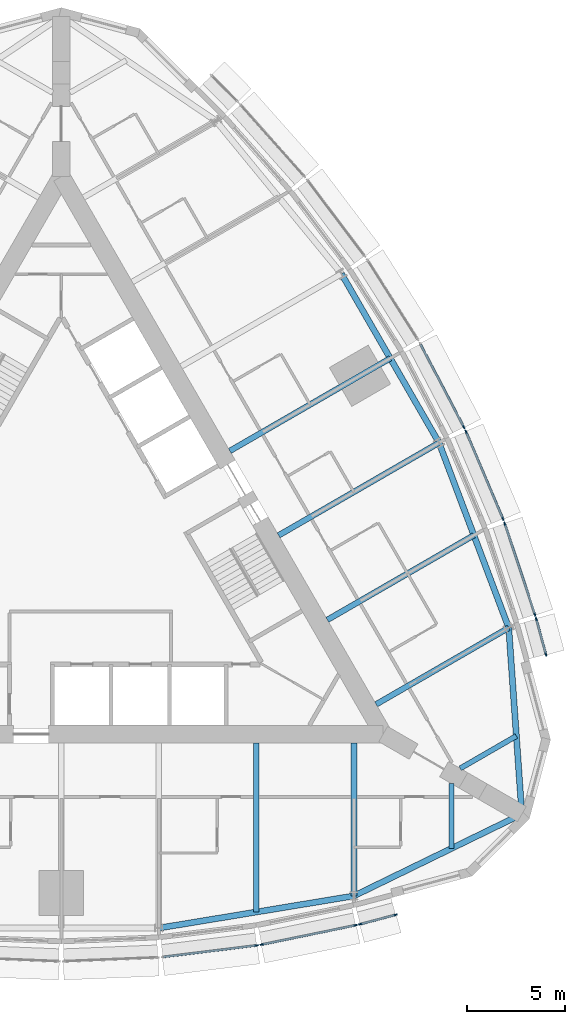
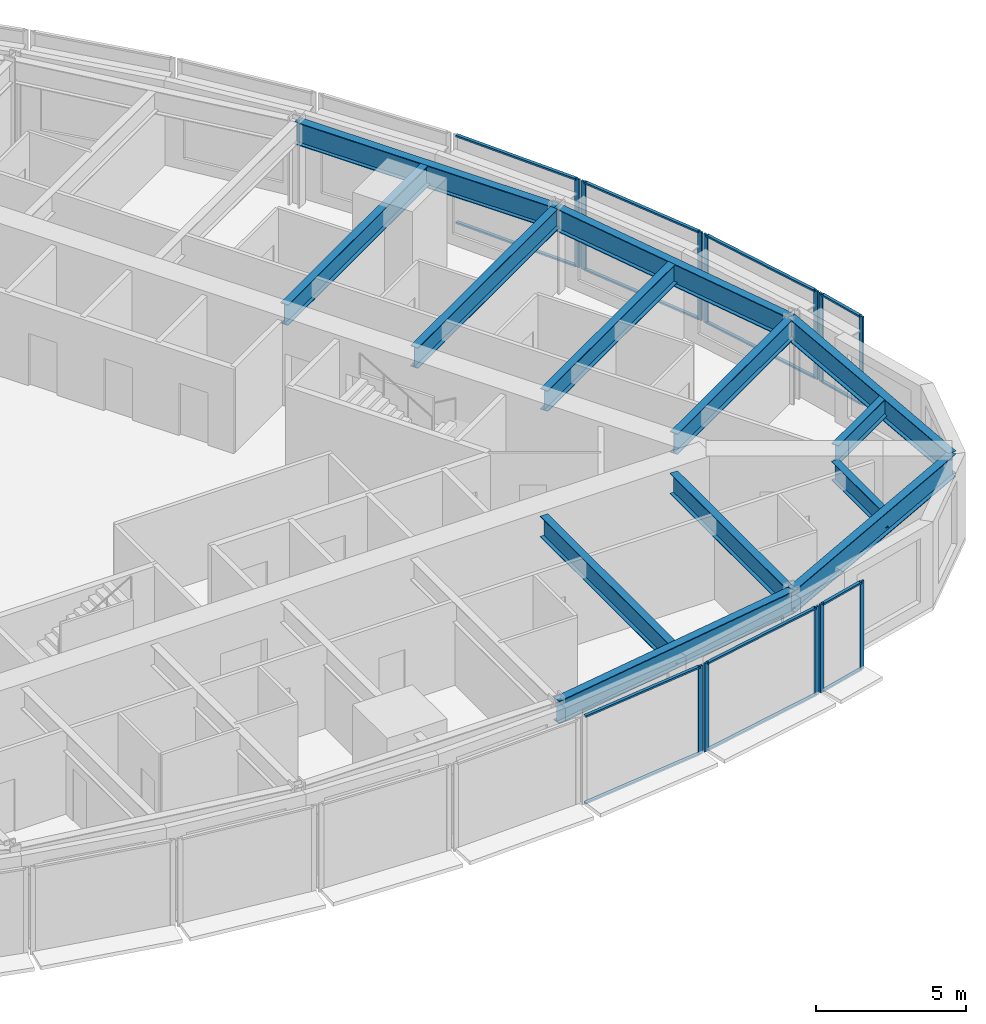
# One storey, part 4 of 15: 26 members, 13 beams, 7 elements without a shape of their own.
"""IFC4 building model written with IfcOpenShell, lengths in metres."""

from ifc_helpers import new_model, si_unit, direction, frame, origin, origin_2d, place, context, subcontext, project, spatial, rectangle, i_section, extrude, material, material_profile, profile_set, type_object, element, aggregate, save


model = new_model("IFC4")

# Units and contexts
model_context = context("Model", 3, precision=1e-05, world=origin(), true_north=direction((0.0, 1.0)))
body_context = subcontext(model_context, "Body", "Model", "MODEL_VIEW")
ifc_project = project(units=[si_unit("LENGTHUNIT", "METRE"), si_unit("AREAUNIT", "SQUARE_METRE"), si_unit("VOLUMEUNIT", "CUBIC_METRE"), si_unit("PLANEANGLEUNIT", "RADIAN"), si_unit("MASSUNIT", "GRAM", prefix="KILO")], contexts=[model_context])

# Site, building, storey
site_placement = place(None, origin())
site = spatial("IfcSite", under=ifc_project, at=site_placement, CompositionType="ELEMENT")
building_placement = place(site_placement, origin())
building = spatial("IfcBuilding", under=site, at=building_placement, Name="Trikona Tower", CompositionType="ELEMENT")
storey_placement = place(building_placement, frame((0.0, 0.0, 200.89990234375)))
storey = spatial("IfcBuildingStorey", under=building, at=storey_placement, Name="L53", CompositionType="ELEMENT", Elevation=200.89990234375)

# Curtain wall, member
ifc_material_1 = material(Name="Aluminium curtain wall system", Category="aluminium")
curtain_wall_type = type_object("IfcCurtainWallType", Name="Curtain wall DS3", PredefinedType="NOTDEFINED", material=ifc_material_1)
curtain_wall_1_placement = place(storey_placement, origin())
curtain_wall_1 = element("IfcCurtainWall", 1, at=curtain_wall_1_placement, inside=storey, type_object=curtain_wall_type, Name="Curtain wall DS3 L53", PredefinedType="NOTDEFINED")
ifc_material_2 = material(Name="Aluminium mullion, pale anodised", Category="aluminium")
ifc_material_profile_1 = material_profile(ifc_material_2, rectangle(XDim=0.070068359375, YDim=0.179931640625, at=origin_2d()), Name="MUL-DS3")
ifc_profile_set_1 = profile_set([ifc_material_profile_1], Name="Aluminium mullion, pale anodised")
member_type_1 = type_object("IfcMemberType", Name="Mullion DS3 70x180", PredefinedType="MULLION", material=ifc_profile_set_1)
member_1_placement = place(storey_placement, frame((10.01611328125, -20.359130859375, 0.0), z_axis=(0.0, 0.0, 1.0), x_axis=(-0.122610640458, 0.992454850785, 0.0)))
member_1 = element("IfcMember", 2, at=member_1_placement, type_object=member_type_1, Name="CW-DS3 mullion 2", PredefinedType="MULLION", context=body_context, shape_type="SweptSolid", body=[
    extrude(rectangle(XDim=0.070068359375, YDim=0.179931640625, at=origin_2d()), origin(), (0.0, 0.0, 1.0), 3.60009765625),
])

# Curtain wall, members
curtain_wall_2_placement = place(storey_placement, origin())
curtain_wall_2 = element("IfcCurtainWall", 3, at=curtain_wall_2_placement, inside=storey, type_object=curtain_wall_type, Name="Curtain wall DS3 L53", PredefinedType="NOTDEFINED")
member_2_placement = place(storey_placement, frame((10.274658203125, -20.316650390625, 0.0), z_axis=(0.0, 0.0, 1.0), x_axis=(-0.201652920672, 0.979457043256, 0.0)))
member_2 = element("IfcMember", 4, at=member_2_placement, type_object=member_type_1, Name="CW-DS3 mullion 1", PredefinedType="MULLION", context=body_context, shape_type="SweptSolid", body=[
    extrude(rectangle(XDim=0.070068359375, YDim=0.179931640625, at=origin_2d()), origin(), (0.0, 0.0, 1.0), 3.60009765625),
])
member_3_placement = place(storey_placement, frame((15.08837890625, -19.325439453125, 0.0), z_axis=(0.0, 0.0, 1.0), x_axis=(-0.201652920672, 0.979457043256, 0.0)))
member_3 = element("IfcMember", 5, at=member_3_placement, type_object=member_type_1, Name="CW-DS3 mullion 2", PredefinedType="MULLION", context=body_context, shape_type="SweptSolid", body=[
    extrude(rectangle(XDim=0.070068359375, YDim=0.179931640625, at=origin_2d()), origin(), (0.0, 0.0, 1.0), 3.60009765625),
])

curtain_wall_3_placement = place(storey_placement, origin())
curtain_wall_3 = element("IfcCurtainWall", 6, at=curtain_wall_3_placement, inside=storey, type_object=curtain_wall_type, Name="Curtain wall DS3 L53", PredefinedType="NOTDEFINED")
member_4_placement = place(storey_placement, frame((15.321044921875, -19.27099609375, 0.0), z_axis=(0.0, 0.0, 1.0), x_axis=(-0.25478635579, 0.966997369647, 0.0)))
member_4 = element("IfcMember", 7, at=member_4_placement, type_object=member_type_1, Name="CW-DS3 mullion 1", PredefinedType="MULLION", context=body_context, shape_type="SweptSolid", body=[
    extrude(rectangle(XDim=0.070068359375, YDim=0.179931640625, at=origin_2d()), origin(), (0.0, 0.0, 1.0), 3.60009765625),
])
member_5_placement = place(storey_placement, frame((17.137451171875, -18.79248046875, 0.0), z_axis=(0.0, 0.0, 1.0), x_axis=(-0.25478635579, 0.966997369647, 0.0)))
member_5 = element("IfcMember", 8, at=member_5_placement, type_object=member_type_1, Name="CW-DS3 mullion 2", PredefinedType="MULLION", context=body_context, shape_type="SweptSolid", body=[
    extrude(rectangle(XDim=0.070068359375, YDim=0.179931640625, at=origin_2d()), origin(), (0.0, 0.0, 1.0), 3.60009765625),
])

curtain_wall_4_placement = place(storey_placement, origin())
curtain_wall_4 = element("IfcCurtainWall", 9, at=curtain_wall_4_placement, inside=storey, type_object=curtain_wall_type, Name="Curtain wall DS3 L53", PredefinedType="NOTDEFINED")
member_6_placement = place(storey_placement, frame((24.843505859375, -5.4453125, 0.0), z_axis=(0.0, 0.0, 1.0), x_axis=(-0.964838403494, -0.262843784676, 0.0)))
member_6 = element("IfcMember", 10, at=member_6_placement, type_object=member_type_1, Name="CW-DS3 mullion 1", PredefinedType="MULLION", context=body_context, shape_type="SweptSolid", body=[
    extrude(rectangle(XDim=0.070068359375, YDim=0.179931640625, at=origin_2d()), origin(), (0.0, 0.0, 1.0), 3.60009765625),
])
member_7_placement = place(storey_placement, frame((24.349609375, -3.633056640625, 0.0), z_axis=(0.0, 0.0, 1.0), x_axis=(-0.964838403494, -0.262843784676, 0.0)))
member_7 = element("IfcMember", 11, at=member_7_placement, type_object=member_type_1, Name="CW-DS3 mullion 2", PredefinedType="MULLION", context=body_context, shape_type="SweptSolid", body=[
    extrude(rectangle(XDim=0.070068359375, YDim=0.179931640625, at=origin_2d()), origin(), (0.0, 0.0, 1.0), 3.60009765625),
])

curtain_wall_5_placement = place(storey_placement, origin())
curtain_wall_5 = element("IfcCurtainWall", 12, at=curtain_wall_5_placement, inside=storey, type_object=curtain_wall_type, Name="Curtain wall DS3 L53", PredefinedType="NOTDEFINED")
member_8_placement = place(storey_placement, frame((24.280517578125, -3.404296875, 0.0), z_axis=(0.0, 0.0, 1.0), x_axis=(-0.949065766708, -0.315078038687, 0.0)))
member_8 = element("IfcMember", 13, at=member_8_placement, type_object=member_type_1, Name="CW-DS3 mullion 1", PredefinedType="MULLION", context=body_context, shape_type="SweptSolid", body=[
    extrude(rectangle(XDim=0.070068359375, YDim=0.179931640625, at=origin_2d()), origin(), (0.0, 0.0, 1.0), 3.60009765625),
])
member_9_placement = place(storey_placement, frame((22.73193359375, 1.26025390625, 0.0), z_axis=(0.0, 0.0, 1.0), x_axis=(-0.949065766708, -0.315078038687, 0.0)))
member_9 = element("IfcMember", 14, at=member_9_placement, type_object=member_type_1, Name="CW-DS3 mullion 2", PredefinedType="MULLION", context=body_context, shape_type="SweptSolid", body=[
    extrude(rectangle(XDim=0.070068359375, YDim=0.179931640625, at=origin_2d()), origin(), (0.0, 0.0, 1.0), 3.60009765625),
])

curtain_wall_6_placement = place(storey_placement, origin())
curtain_wall_6 = element("IfcCurtainWall", 15, at=curtain_wall_6_placement, inside=storey, type_object=curtain_wall_type, Name="Curtain wall DS3 L53", PredefinedType="NOTDEFINED")
member_10_placement = place(storey_placement, frame((22.6396484375, 1.50537109375, 0.0), z_axis=(0.0, 0.0, 1.0), x_axis=(-0.920792322808, -0.390053199266, 0.0)))
member_10 = element("IfcMember", 16, at=member_10_placement, type_object=member_type_1, Name="CW-DS3 mullion 1", PredefinedType="MULLION", context=body_context, shape_type="SweptSolid", body=[
    extrude(rectangle(XDim=0.070068359375, YDim=0.179931640625, at=origin_2d()), origin(), (0.0, 0.0, 1.0), 3.60009765625),
])
member_11_placement = place(storey_placement, frame((20.74853515625, 5.969482421875, 0.0), z_axis=(0.0, 0.0, 1.0), x_axis=(-0.920792322808, -0.390053199266, 0.0)))
member_11 = element("IfcMember", 17, at=member_11_placement, type_object=member_type_1, Name="CW-DS3 mullion 2", PredefinedType="MULLION", context=body_context, shape_type="SweptSolid", body=[
    extrude(rectangle(XDim=0.070068359375, YDim=0.179931640625, at=origin_2d()), origin(), (0.0, 0.0, 1.0), 3.60009765625),
])

# Curtain wall, member
curtain_wall_7_placement = place(storey_placement, origin())
curtain_wall_7 = element("IfcCurtainWall", 18, at=curtain_wall_7_placement, inside=storey, type_object=curtain_wall_type, Name="Curtain wall DS3 L53", PredefinedType="NOTDEFINED")
member_12_placement = place(storey_placement, frame((20.635986328125, 6.20751953125, 0.0), z_axis=(0.0, 0.0, 1.0), x_axis=(-0.885862390527, -0.463948084434, 0.0)))
member_12 = element("IfcMember", 19, at=member_12_placement, type_object=member_type_1, Name="CW-DS3 mullion 1", PredefinedType="MULLION", context=body_context, shape_type="SweptSolid", body=[
    extrude(rectangle(XDim=0.070068359375, YDim=0.179931640625, at=origin_2d()), origin(), (0.0, 0.0, 1.0), 3.60009765625),
])

# Beams
ifc_material_3 = material(Name="Steel ASTM A992 Grade 50", Category="steel")
ifc_material_profile_2 = material_profile(ifc_material_3, i_section(OverallWidth=0.2666015625, OverallDepth=0.76953125, WebThickness=0.015625, FlangeThickness=0.025390625, at=origin_2d()), Name="W30X132")
ifc_profile_set_2 = profile_set([ifc_material_profile_2], Name="Steel ASTM A992 Grade 50")
beam_type_1 = type_object("IfcBeamType", Name="Steel beam W30x132 (wedge)", PredefinedType="BEAM", material=ifc_profile_set_2)
beam_1_placement = place(storey_placement, frame((20.0, -12.066650390625, 3.05029296875), z_axis=(0.0, -1.0, 0.0), x_axis=(1.0, 0.0, 0.0)))
element("IfcBeam", 20, at=beam_1_placement, inside=storey, type_object=beam_type_1, Name="Floor beam L54 F1 u20", PredefinedType="BEAM", context=body_context, shape_type="SweptSolid", body=[
    extrude(i_section(OverallWidth=0.2666015625, OverallDepth=0.76953125, WebThickness=0.015625, FlangeThickness=0.025390625, at=origin_2d()), origin(), (0.0, 0.0, 1.0), 3.322998046875),
])
beam_2_placement = place(storey_placement, frame((20.449951171875, -11.287109375, 3.05029296875), z_axis=(0.866019199568, 0.500010745865, 0.0), x_axis=(-0.500010745865, 0.866019199568, 0.0)))
element("IfcBeam", 21, at=beam_2_placement, inside=storey, type_object=beam_type_1, Name="Floor beam L54 F2 u-20", PredefinedType="BEAM", context=body_context, shape_type="SweptSolid", body=[
    extrude(i_section(OverallWidth=0.2666015625, OverallDepth=0.76953125, WebThickness=0.015625, FlangeThickness=0.025390625, at=origin_2d()), origin(), (0.0, 0.0, 1.0), 3.3232421875),
])
ifc_material_4 = material(Name="Steel ASTM A992 Grade 50", Category="steel")
ifc_material_profile_3 = material_profile(ifc_material_4, i_section(OverallWidth=0.2919921875, OverallDepth=0.845703125, WebThickness=0.015380859375, FlangeThickness=0.0244140625, at=origin_2d()), Name="W33X141")
ifc_profile_set_3 = profile_set([ifc_material_profile_3], Name="Steel ASTM A992 Grade 50")
beam_type_2 = type_object("IfcBeamType", Name="Steel beam W33x141 (radial typ)", PredefinedType="BEAM", material=ifc_profile_set_3)
beam_3_placement = place(storey_placement, frame((10.0, -9.976318359375, 3.01220703125), z_axis=(0.0, -1.0, 0.0), x_axis=(1.0, 0.0, 0.0)))
element("IfcBeam", 22, at=beam_3_placement, inside=storey, type_object=beam_type_2, Name="Floor beam L54 F1 u10", PredefinedType="BEAM", context=body_context, shape_type="SweptSolid", body=[
    extrude(i_section(OverallWidth=0.2919921875, OverallDepth=0.845703125, WebThickness=0.015380859375, FlangeThickness=0.0244140625, at=origin_2d()), origin(), (0.0, 0.0, 1.0), 8.672119140625),
])
for number, where, z_axis, x_axis, name in (
    (23, (15.0, -9.976318359375, 3.01220703125), (0.0, -1.0, 0.0), (1.0, 0.0, 0.0), "Floor beam L54 F1 u15"),
    (24, (16.1396484375, -8.002197265625, 3.01220703125), (0.866025522914, 0.499999793661, 0.0), (-0.499999793661, 0.866025522914, 0.0), "Floor beam L54 F2 u-15"),
):
    element("IfcBeam", number, at=place(storey_placement, frame(where, z_axis=z_axis, x_axis=x_axis)), inside=storey, type_object=beam_type_2, Name=name, PredefinedType="BEAM", context=body_context, shape_type="SweptSolid", body=[
        extrude(i_section(OverallWidth=0.2919921875, OverallDepth=0.845703125, WebThickness=0.015380859375, FlangeThickness=0.0244140625, at=origin_2d()), origin(), (0.0, 0.0, 1.0), 7.8486328125),
    ])
beam_4_placement = place(storey_placement, frame((13.6396484375, -3.672119140625, 3.01220703125), z_axis=(0.866018686634, 0.500011634266, 0.0), x_axis=(-0.500011634266, 0.866018686634, 0.0)))
element("IfcBeam", 25, at=beam_4_placement, inside=storey, type_object=beam_type_2, Name="Floor beam L54 F2 u-10", PredefinedType="BEAM", context=body_context, shape_type="SweptSolid", body=[
    extrude(i_section(OverallWidth=0.2919921875, OverallDepth=0.845703125, WebThickness=0.015380859375, FlangeThickness=0.0244140625, at=origin_2d()), origin(), (0.0, 0.0, 1.0), 8.672119140625),
])
for number, where, z_axis, x_axis, name in (
    (26, (11.1396484375, 0.657958984375, 3.01220703125), (0.866019464008, 0.500010287853, 0.0), (-0.500010287853, 0.866019464008, 0.0), "Floor beam L54 F2 u-5"),
    (27, (8.6396484375, 4.988037109375, 3.01220703125), (0.866019464008, 0.500010287853, 0.0), (-0.500010287853, 0.866019464008, 0.0), "Floor beam L54 F2 u0"),
):
    element("IfcBeam", number, at=place(storey_placement, frame(where, z_axis=z_axis, x_axis=x_axis)), inside=storey, type_object=beam_type_2, Name=name, PredefinedType="BEAM", context=body_context, shape_type="SweptSolid", body=[
        extrude(i_section(OverallWidth=0.2919921875, OverallDepth=0.845703125, WebThickness=0.015380859375, FlangeThickness=0.0244140625, at=origin_2d()), origin(), (0.0, 0.0, 1.0), 9.495849609375),
    ])
ifc_material_5 = material(Name="Steel ASTM A992 Grade 50", Category="steel")
ifc_material_profile_4 = material_profile(ifc_material_5, i_section(OverallWidth=0.307373046875, OverallDepth=0.922119140625, WebThickness=0.018310546875, FlangeThickness=0.030029296875, at=origin_2d()), Name="W36X182")
ifc_profile_set_4 = profile_set([ifc_material_profile_4], Name="Steel ASTM A992 Grade 50")
beam_type_3 = type_object("IfcBeamType", Name="Steel beam W36x182 (spandrel mid)", PredefinedType="SPANDREL", material=ifc_profile_set_4)
beam_5_placement = place(storey_placement, frame((5.0, -19.471923828125, 2.97412109375), z_axis=(0.986707228918, 0.162507982575, 0.0), x_axis=(-0.162507982575, 0.986707228918, 0.0)))
element("IfcBeam", 28, at=beam_5_placement, inside=storey, type_object=beam_type_3, Name="Spandrel beam L54 F1-4", PredefinedType="SPANDREL", context=body_context, shape_type="SweptSolid", body=[
    extrude(i_section(OverallWidth=0.307373046875, OverallDepth=0.922119140625, WebThickness=0.018310546875, FlangeThickness=0.030029296875, at=origin_2d()), origin(), (0.0, 0.0, 1.0), 10.134765625),
])
beam_6_placement = place(storey_placement, frame((15.0, -17.824951171875, 2.97412109375), z_axis=(0.899038503257, 0.437869580652, 0.0), x_axis=(-0.437869580652, 0.899038503257, 0.0)))
element("IfcBeam", 29, at=beam_6_placement, inside=storey, type_object=beam_type_3, Name="Spandrel beam L54 F1-5", PredefinedType="SPANDREL", context=body_context, shape_type="SweptSolid", body=[
    extrude(i_section(OverallWidth=0.307373046875, OverallDepth=0.922119140625, WebThickness=0.018310546875, FlangeThickness=0.030029296875, at=origin_2d()), origin(), (0.0, 0.0, 1.0), 9.577392578125),
])
beam_7_placement = place(storey_placement, frame((23.6103515625, -13.63134765625, 2.97412109375), z_axis=(-0.07033215835, 0.997523627541, 0.0), x_axis=(-0.997523627541, -0.07033215835, 0.0)))
element("IfcBeam", 30, at=beam_7_placement, inside=storey, type_object=beam_type_3, Name="Spandrel beam L54 F2-1", PredefinedType="SPANDREL", context=body_context, shape_type="SweptSolid", body=[
    extrude(i_section(OverallWidth=0.307373046875, OverallDepth=0.922119140625, WebThickness=0.018310546875, FlangeThickness=0.030029296875, at=origin_2d()), origin(), (0.0, 0.0, 1.0), 9.5771484375),
])
beam_8_placement = place(storey_placement, frame((22.936767578125, -4.077880859375, 2.97412109375), z_axis=(-0.352596088442, 0.935775613283, 0.0), x_axis=(-0.935775613283, -0.352596088442, 0.0)))
element("IfcBeam", 31, at=beam_8_placement, inside=storey, type_object=beam_type_3, Name="Spandrel beam L54 F2-2", PredefinedType="SPANDREL", context=body_context, shape_type="SweptSolid", body=[
    extrude(i_section(OverallWidth=0.307373046875, OverallDepth=0.922119140625, WebThickness=0.018310546875, FlangeThickness=0.030029296875, at=origin_2d()), origin(), (0.0, 0.0, 1.0), 10.134765625),
])
beam_9_placement = place(storey_placement, frame((19.36328125, 5.406005859375, 2.97412109375), z_axis=(-0.500004234368, 0.866022959057, 0.0), x_axis=(-0.866022959057, -0.500004234368, 0.0)))
element("IfcBeam", 32, at=beam_9_placement, inside=storey, type_object=beam_type_3, Name="Spandrel beam L54 F2-3", PredefinedType="SPANDREL", context=body_context, shape_type="SweptSolid", body=[
    extrude(i_section(OverallWidth=0.307373046875, OverallDepth=0.922119140625, WebThickness=0.018310546875, FlangeThickness=0.030029296875, at=origin_2d()), origin(), (0.0, 0.0, 1.0), 10.0),
])

# Member
ifc_material_6 = material(Name="Aluminium transom, pale anodised", Category="aluminium")
ifc_material_profile_5 = material_profile(ifc_material_6, rectangle(XDim=0.1201171875, YDim=0.070068359375, at=origin_2d()), Name="TRN-DS3")
ifc_profile_set_5 = profile_set([ifc_material_profile_5], Name="Aluminium transom, pale anodised")
member_type_2 = type_object("IfcMemberType", Name="Transom DS3 70x120", PredefinedType="USERDEFINED", material=ifc_profile_set_5)
member_13_placement = place(storey_placement, frame((5.2392578125, -20.94921875, 0.03515625), z_axis=(0.992459172161, 0.122575656611, 0.0), x_axis=(-0.122575656611, 0.992459172161, 0.0)))
member_13 = element("IfcMember", 33, at=member_13_placement, type_object=member_type_2, Name="CW-DS3 transom 1.1", ObjectType="TRANSOM", PredefinedType="USERDEFINED", context=body_context, shape_type="SweptSolid", body=[
    extrude(rectangle(XDim=0.1201171875, YDim=0.070068359375, at=origin_2d()), origin(), (0.0, 0.0, 1.0), 4.7783203125),
])

member_14_placement = place(storey_placement, frame((5.2392578125, -20.94921875, 3.565185546875), z_axis=(0.992459172161, 0.122575656611, 0.0), x_axis=(-0.122575656611, 0.992459172161, 0.0)))
member_14 = element("IfcMember", 34, at=member_14_placement, type_object=member_type_2, Name="CW-DS3 transom 1.2", ObjectType="TRANSOM", PredefinedType="USERDEFINED", context=body_context, shape_type="SweptSolid", body=[
    extrude(rectangle(XDim=0.1201171875, YDim=0.070068359375, at=origin_2d()), origin(), (0.0, 0.0, 1.0), 4.7783203125),
])

aggregate(curtain_wall_1, [member_1, member_13, member_14])

member_15_placement = place(storey_placement, frame((10.308837890625, -20.3095703125, 0.03515625), z_axis=(0.979454408611, 0.201665717099, 0.0), x_axis=(-0.201665717099, 0.979454408611, 0.0)))
member_15 = element("IfcMember", 35, at=member_15_placement, type_object=member_type_2, Name="CW-DS3 transom 1.1", ObjectType="TRANSOM", PredefinedType="USERDEFINED", context=body_context, shape_type="SweptSolid", body=[
    extrude(rectangle(XDim=0.1201171875, YDim=0.070068359375, at=origin_2d()), origin(), (0.0, 0.0, 1.0), 4.844970703125),
])

member_16_placement = place(storey_placement, frame((10.308837890625, -20.3095703125, 3.565185546875), z_axis=(0.979454408611, 0.201665717099, 0.0), x_axis=(-0.201665717099, 0.979454408611, 0.0)))
member_16 = element("IfcMember", 36, at=member_16_placement, type_object=member_type_2, Name="CW-DS3 transom 1.2", ObjectType="TRANSOM", PredefinedType="USERDEFINED", context=body_context, shape_type="SweptSolid", body=[
    extrude(rectangle(XDim=0.1201171875, YDim=0.070068359375, at=origin_2d()), origin(), (0.0, 0.0, 1.0), 4.844970703125),
])

aggregate(curtain_wall_2, [member_2, member_3, member_15, member_16])

member_17_placement = place(storey_placement, frame((15.35498046875, -19.261962890625, 0.03515625), z_axis=(0.966999290683, 0.254779064719, 0.0), x_axis=(-0.254779064719, 0.966999290683, 0.0)))
member_17 = element("IfcMember", 37, at=member_17_placement, type_object=member_type_2, Name="CW-DS3 transom 1.1", ObjectType="TRANSOM", PredefinedType="USERDEFINED", context=body_context, shape_type="SweptSolid", body=[
    extrude(rectangle(XDim=0.1201171875, YDim=0.070068359375, at=origin_2d()), origin(), (0.0, 0.0, 1.0), 1.80810546875),
])

member_18_placement = place(storey_placement, frame((15.35498046875, -19.261962890625, 3.565185546875), z_axis=(0.966999290683, 0.254779064719, 0.0), x_axis=(-0.254779064719, 0.966999290683, 0.0)))
member_18 = element("IfcMember", 38, at=member_18_placement, type_object=member_type_2, Name="CW-DS3 transom 1.2", ObjectType="TRANSOM", PredefinedType="USERDEFINED", context=body_context, shape_type="SweptSolid", body=[
    extrude(rectangle(XDim=0.1201171875, YDim=0.070068359375, at=origin_2d()), origin(), (0.0, 0.0, 1.0), 1.80810546875),
])

aggregate(curtain_wall_3, [member_4, member_5, member_17, member_18])

member_19_placement = place(storey_placement, frame((24.834228515625, -5.41162109375, 0.03515625), z_axis=(-0.262843243155, 0.964838551017, 0.0), x_axis=(-0.964838551017, -0.262843243155, 0.0)))
member_19 = element("IfcMember", 39, at=member_19_placement, type_object=member_type_2, Name="CW-DS3 transom 1.1", ObjectType="TRANSOM", PredefinedType="USERDEFINED", context=body_context, shape_type="SweptSolid", body=[
    extrude(rectangle(XDim=0.1201171875, YDim=0.070068359375, at=origin_2d()), origin(), (0.0, 0.0, 1.0), 1.808349609375),
])

member_20_placement = place(storey_placement, frame((24.834228515625, -5.41162109375, 3.565185546875), z_axis=(-0.262843243155, 0.964838551017, 0.0), x_axis=(-0.964838551017, -0.262843243155, 0.0)))
member_20 = element("IfcMember", 40, at=member_20_placement, type_object=member_type_2, Name="CW-DS3 transom 1.2", ObjectType="TRANSOM", PredefinedType="USERDEFINED", context=body_context, shape_type="SweptSolid", body=[
    extrude(rectangle(XDim=0.1201171875, YDim=0.070068359375, at=origin_2d()), origin(), (0.0, 0.0, 1.0), 1.808349609375),
])

aggregate(curtain_wall_4, [member_6, member_7, member_19, member_20])

member_21_placement = place(storey_placement, frame((24.26953125, -3.370849609375, 0.03515625), z_axis=(-0.315063426034, 0.949070617802, 0.0), x_axis=(-0.949070617802, -0.315063426034, 0.0)))
member_21 = element("IfcMember", 41, at=member_21_placement, type_object=member_type_2, Name="CW-DS3 transom 1.1", ObjectType="TRANSOM", PredefinedType="USERDEFINED", context=body_context, shape_type="SweptSolid", body=[
    extrude(rectangle(XDim=0.1201171875, YDim=0.070068359375, at=origin_2d()), origin(), (0.0, 0.0, 1.0), 4.8447265625),
])

member_22_placement = place(storey_placement, frame((24.26953125, -3.370849609375, 3.565185546875), z_axis=(-0.315063426034, 0.949070617802, 0.0), x_axis=(-0.949070617802, -0.315063426034, 0.0)))
member_22 = element("IfcMember", 42, at=member_22_placement, type_object=member_type_2, Name="CW-DS3 transom 1.2", ObjectType="TRANSOM", PredefinedType="USERDEFINED", context=body_context, shape_type="SweptSolid", body=[
    extrude(rectangle(XDim=0.1201171875, YDim=0.070068359375, at=origin_2d()), origin(), (0.0, 0.0, 1.0), 4.8447265625),
])

aggregate(curtain_wall_5, [member_8, member_9, member_21, member_22])

member_23_placement = place(storey_placement, frame((22.6259765625, 1.53759765625, 0.03515625), z_axis=(-0.390061662668, 0.920788737614, 0.0), x_axis=(-0.920788737614, -0.390061662668, 0.0)))
member_23 = element("IfcMember", 43, at=member_23_placement, type_object=member_type_2, Name="CW-DS3 transom 1.1", ObjectType="TRANSOM", PredefinedType="USERDEFINED", context=body_context, shape_type="SweptSolid", body=[
    extrude(rectangle(XDim=0.1201171875, YDim=0.070068359375, at=origin_2d()), origin(), (0.0, 0.0, 1.0), 4.778076171875),
])

member_24_placement = place(storey_placement, frame((22.6259765625, 1.53759765625, 3.565185546875), z_axis=(-0.390061662668, 0.920788737614, 0.0), x_axis=(-0.920788737614, -0.390061662668, 0.0)))
member_24 = element("IfcMember", 44, at=member_24_placement, type_object=member_type_2, Name="CW-DS3 transom 1.2", ObjectType="TRANSOM", PredefinedType="USERDEFINED", context=body_context, shape_type="SweptSolid", body=[
    extrude(rectangle(XDim=0.1201171875, YDim=0.070068359375, at=origin_2d()), origin(), (0.0, 0.0, 1.0), 4.778076171875),
])

aggregate(curtain_wall_6, [member_10, member_11, member_23, member_24])

member_25_placement = place(storey_placement, frame((20.61962890625, 6.238525390625, 0.03515625), z_axis=(-0.463910848027, 0.885881891158, 0.0), x_axis=(-0.885881891158, -0.463910848027, 0.0)))
member_25 = element("IfcMember", 45, at=member_25_placement, type_object=member_type_2, Name="CW-DS3 transom 1.1", ObjectType="TRANSOM", PredefinedType="USERDEFINED", context=body_context, shape_type="SweptSolid", body=[
    extrude(rectangle(XDim=0.1201171875, YDim=0.070068359375, at=origin_2d()), origin(), (0.0, 0.0, 1.0), 4.744384765625),
])

member_26_placement = place(storey_placement, frame((20.61962890625, 6.238525390625, 3.565185546875), z_axis=(-0.463910848027, 0.885881891158, 0.0), x_axis=(-0.885881891158, -0.463910848027, 0.0)))
member_26 = element("IfcMember", 46, at=member_26_placement, type_object=member_type_2, Name="CW-DS3 transom 1.2", ObjectType="TRANSOM", PredefinedType="USERDEFINED", context=body_context, shape_type="SweptSolid", body=[
    extrude(rectangle(XDim=0.1201171875, YDim=0.070068359375, at=origin_2d()), origin(), (0.0, 0.0, 1.0), 4.744384765625),
])

aggregate(curtain_wall_7, [member_12, member_25, member_26])

save(model, "model.ifc")
